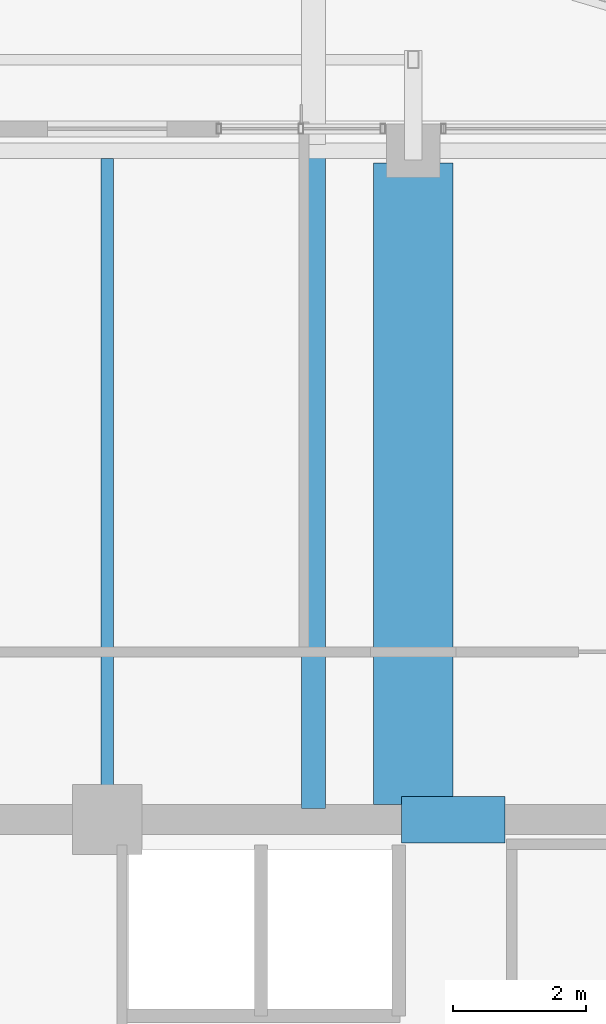
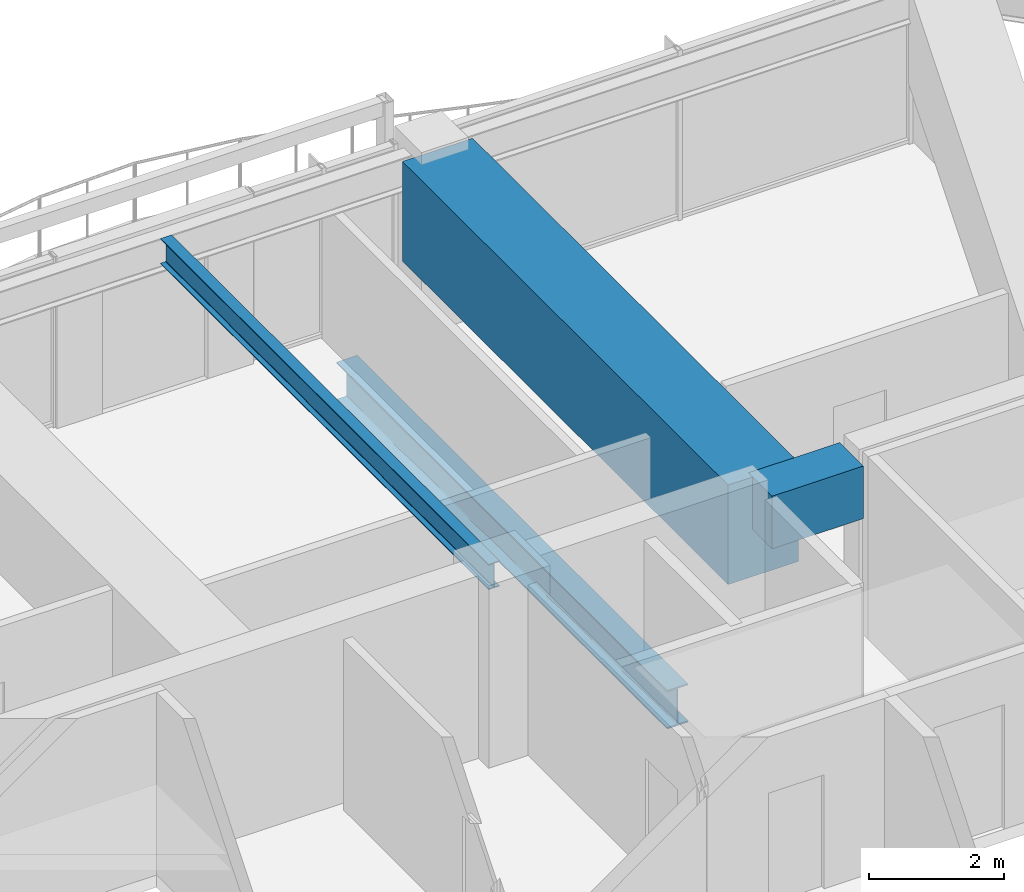
# One storey, part 19 of 37: 4 beams.
"""IFC4 building model written with IfcOpenShell, lengths in metres."""

from ifc_helpers import new_model, si_unit, direction, frame, origin, origin_2d, place, context, subcontext, project, spatial, rectangle, i_section, extrude, material, material_profile, profile_set, type_object, element, save


model = new_model("IFC4")

# Units and contexts
model_context = context("Model", 3, precision=1e-05, world=origin(), true_north=direction((0.0, 1.0)))
body_context = subcontext(model_context, "Body", "Model", "MODEL_VIEW")
ifc_project = project(units=[si_unit("LENGTHUNIT", "METRE"), si_unit("AREAUNIT", "SQUARE_METRE"), si_unit("VOLUMEUNIT", "CUBIC_METRE"), si_unit("PLANEANGLEUNIT", "RADIAN"), si_unit("MASSUNIT", "GRAM", prefix="KILO")], contexts=[model_context])

# Site, building, storey
site_placement = place(None, origin())
site = spatial("IfcSite", under=ifc_project, at=site_placement, CompositionType="ELEMENT")
building_placement = place(site_placement, origin())
building = spatial("IfcBuilding", under=site, at=building_placement, Name="Kolvaren Belvedere", CompositionType="ELEMENT")
storey_placement = place(building_placement, frame((0.0, 0.0, 219.60009765625)))
storey = spatial("IfcBuildingStorey", under=building, at=storey_placement, Name="L64", CompositionType="ELEMENT", Elevation=219.60009765625)

# Beams
ifc_material_1 = material(Name="Structural steel ASTM A992 Grade 50", Category="steel")
ifc_material_profile_1 = material_profile(ifc_material_1, i_section(OverallWidth=0.35498046875, OverallDepth=0.696044921875, WebThickness=0.015380859375, FlangeThickness=0.02490234375, FilletRadius=0.02197265625, at=origin_2d()), Name="W27X146")
ifc_profile_set_1 = profile_set([ifc_material_profile_1], Name="Structural steel ASTM A992 Grade 50")
beam_type_1 = type_object("IfcBeamType", Name="BM-GIRD-W27X146", PredefinedType="BEAM", material=ifc_profile_set_1)
beam_1_placement = place(storey_placement, frame((3.10009765625, 10.06494140625, -0.568115234375), z_axis=(0.0, 1.0, 0.0), x_axis=(-1.0, 0.0, 0.0)))
element("IfcBeam", 1, at=beam_1_placement, inside=storey, type_object=beam_type_1, Name="L64 Balcony Interior Back-Span Girder BAL-N-2", PredefinedType="BEAM", context=body_context, shape_type="SweptSolid", body=[
    extrude(i_section(OverallWidth=0.35498046875, OverallDepth=0.696044921875, WebThickness=0.015380859375, FlangeThickness=0.02490234375, FilletRadius=0.02197265625, at=origin_2d()), origin(), (0.0, 0.0, 1.0), 9.7900390625),
])
ifc_material_2 = material(Name="Structural steel ASTM A992 Grade 50", Category="steel")
ifc_material_profile_2 = material_profile(ifc_material_2, i_section(OverallWidth=0.19091796875, OverallDepth=0.4599609375, WebThickness=0.010009765625, FlangeThickness=0.01611328125, FilletRadius=0.014892578125, at=origin_2d()), Name="W18X55")
ifc_profile_set_2 = profile_set([ifc_material_profile_2], Name="Structural steel ASTM A992 Grade 50")
beam_type_2 = type_object("IfcBeamType", Name="BM-JOIST-W18X55", PredefinedType="BEAM", material=ifc_profile_set_2)
beam_2_placement = place(storey_placement, frame((0.0, 10.125, 2.849853515625), z_axis=(0.0, 1.0, 0.0), x_axis=(-1.0, 0.0, 0.0)))
element("IfcBeam", 2, at=beam_2_placement, inside=storey, type_object=beam_type_2, Name="L64 North Centre Floor Beam", PredefinedType="BEAM", context=body_context, shape_type="SweptSolid", body=[
    extrude(i_section(OverallWidth=0.19091796875, OverallDepth=0.4599609375, WebThickness=0.010009765625, FlangeThickness=0.01611328125, FilletRadius=0.014892578125, at=origin_2d()), origin(), (0.0, 0.0, 1.0), 9.71044921875),
])
ifc_material_3 = material(Name="Concrete C60/75", Category="concrete")
ifc_material_profile_3 = material_profile(ifc_material_3, rectangle(XDim=0.699951171875, YDim=0.949951171875, at=origin_2d()), Name="RC 700X950")
ifc_profile_set_3 = profile_set([ifc_material_profile_3], Name="Concrete C60/75")
beam_type_3 = type_object("IfcBeamType", Name="BM-LINT-950", PredefinedType="LINTEL", material=ifc_profile_set_3)
beam_3_placement = place(storey_placement, frame((4.419921875, 9.89990234375, 2.60498046875), z_axis=(1.0, 0.0, 0.0), x_axis=(0.0, 1.0, 0.0)))
element("IfcBeam", 3, at=beam_3_placement, inside=storey, type_object=beam_type_3, Name="L64 North Core Coupling Lintel", PredefinedType="LINTEL", context=body_context, shape_type="SweptSolid", body=[
    extrude(rectangle(XDim=0.699951171875, YDim=0.949951171875, at=origin_2d()), origin(), (0.0, 0.0, 1.0), 1.56005859375),
])
ifc_material_4 = material(Name="Concrete C50/60", Category="concrete")
ifc_material_profile_4 = material_profile(ifc_material_4, rectangle(XDim=1.199951171875, YDim=1.800048828125, at=origin_2d()), Name="RC 1200X1800")
ifc_profile_set_4 = profile_set([ifc_material_profile_4], Name="Concrete C50/60")
beam_type_4 = type_object("IfcBeamType", Name="BM-TG-1800", PredefinedType="BEAM", material=ifc_profile_set_4)
beam_4_placement = place(storey_placement, frame((4.60009765625, 10.125, 2.179931640625), z_axis=(0.0, 1.0, 0.0), x_axis=(-1.0, 0.0, 0.0)))
element("IfcBeam", 4, at=beam_4_placement, inside=storey, type_object=beam_type_4, Name="L64 North Radial Girder P", PredefinedType="BEAM", context=body_context, shape_type="SweptSolid", body=[
    extrude(rectangle(XDim=1.199951171875, YDim=1.800048828125, at=origin_2d()), origin(), (0.0, 0.0, 1.0), 9.64501953125),
])

save(model, "model.ifc")
